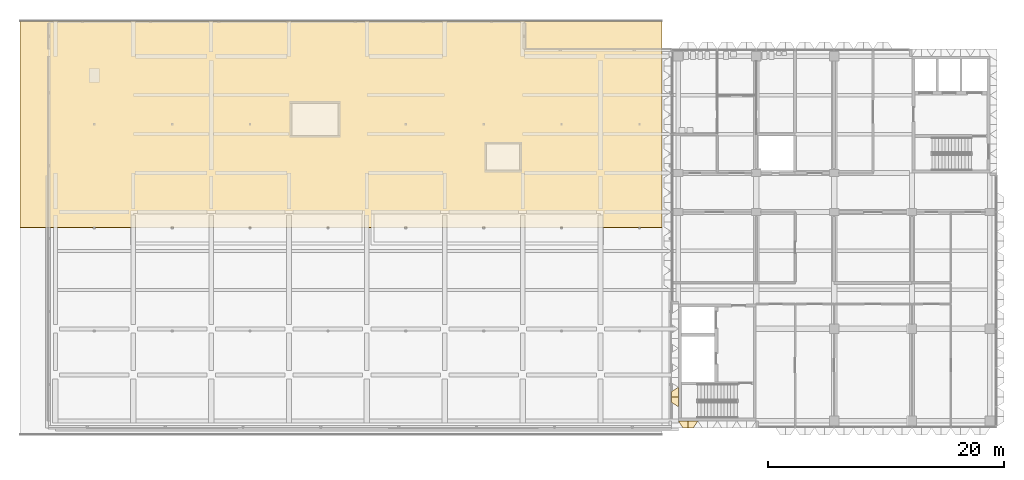
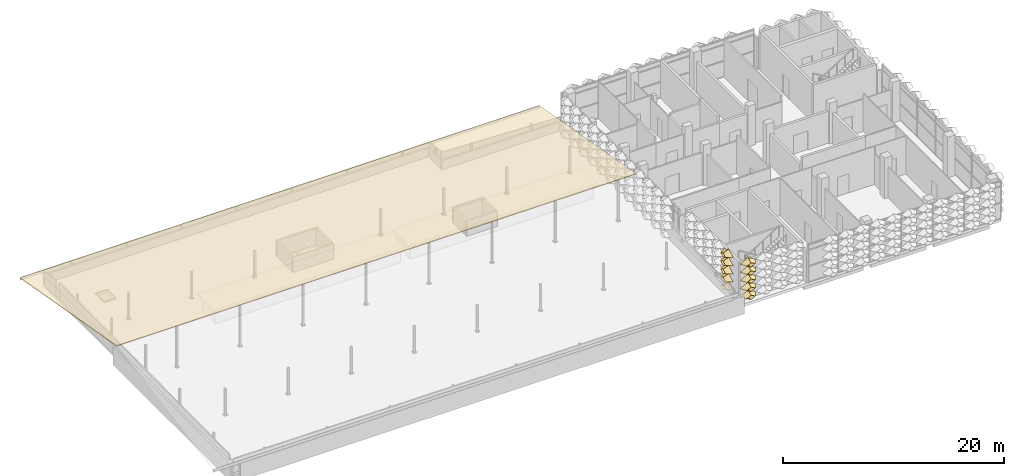
# One storey, part 21 of 39: 12 coverings.
"""IFC4 building model written with IfcOpenShell, lengths in metres."""

from ifc_helpers import new_model, entity, si_unit, direction, frame, origin, place, context, subcontext, project, spatial, polyline, outline, extrude, material, layer, layer_set, type_object, element, save


model = new_model("IFC4")

# Units and contexts
model_context = context("Model", 3, precision=1e-05, world=origin(), true_north=direction((0.0, 1.0)))
body_context = subcontext(model_context, "Body", "Model", "MODEL_VIEW")
ifc_project = project(units=[si_unit("LENGTHUNIT", "METRE"), si_unit("AREAUNIT", "SQUARE_METRE"), si_unit("VOLUMEUNIT", "CUBIC_METRE"), si_unit("PLANEANGLEUNIT", "RADIAN"), si_unit("MASSUNIT", "GRAM", prefix="KILO")], contexts=[model_context])

# Site, building, storey
site_placement = place(None, origin())
site = spatial("IfcSite", under=ifc_project, at=site_placement, CompositionType="ELEMENT")
building_placement = place(site_placement, origin())
building = spatial("IfcBuilding", under=site, at=building_placement, Name="Lantern Court Research Institute", CompositionType="ELEMENT")
storey_placement = place(building_placement, frame((0.0, 0.0, 27.89990234375)))
storey = spatial("IfcBuildingStorey", under=building, at=storey_placement, Name="L06", CompositionType="ELEMENT", Elevation=27.89990234375)

# Coverings
ifc_material_1 = material(Name="Anodised aluminium", Category="aluminium")
ifc_layer_1 = layer(ifc_material_1, 0.02001953125)
ifc_layer_set_1 = layer_set([ifc_layer_1], Name="Anodised aluminium")
covering_type_1 = type_object("IfcCoveringType", Name="Eaves soffit lining 20 aluminium", PredefinedType="CLADDING", material=ifc_layer_set_1)
covering_1_placement = place(storey_placement, frame((-3.0, 26.10009765625, 1.4892578125), z_axis=(0.0, 0.173644456684, 0.984808409115), x_axis=(1.0, 0.0, 0.0)))
element("IfcCovering", 1, at=covering_1_placement, inside=storey, type_object=covering_type_1, Name="Eaves soffit lining V4 2", PredefinedType="CLADDING", context=body_context, shape_type="SweptSolid", body=[
    extrude(outline(polyline([(0.0, 0.0), (54.39990234375, 0.0), (54.39990234375, -17.795488261651847), (0.0, -17.795488261651847), (0.0, 0.0)])), origin(), (0.0, 0.0, -1.0), 0.02001953125),
])
ifc_material_2 = material(Name="Anodised aluminium", Category="aluminium")
ifc_layer_2 = layer(ifc_material_2, 0.01611328125)
ifc_layer_set_2 = layer_set([ifc_layer_2], Name="Anodised aluminium")
covering_type_2 = type_object("IfcCoveringType", Name="Fin cassette 1650 x 900 x 600 aluminium", PredefinedType="CLADDING", material=ifc_layer_set_2)
covering_2_placement = place(storey_placement, frame((53.625, -7.800048828125, 0.4501953125), z_axis=(0.0, -1.0, 0.0), x_axis=(1.0, 0.0, 0.0)))
cartesian_point_1 = entity("IfcCartesianPoint", [0.824951171875, 0.0])
cartesian_point_2 = entity("IfcCartesianPoint", [0.79150390625, 0.0])
cartesian_point_3 = entity("IfcCartesianPoint", [0.44189453125, 0.0])
cartesian_point_4 = entity("IfcCartesianPoint", [0.43359375, 0.0])
element("IfcCovering", 2, at=covering_2_placement, inside=storey, type_object=covering_type_2, Name="Fin cassette V5S-L06 1.33", PredefinedType="CLADDING", context=body_context, shape_type="SweptSolid", body=[
    entity("IfcExtrudedAreaSolidTapered", entity("IfcArbitraryProfileDefWithVoids", "AREA", None, entity("IfcPolyline", [cartesian_point_1, entity("IfcCartesianPoint", [0.0, 0.449951171875]), entity("IfcCartesianPoint", [-0.824951171875, 0.0]), entity("IfcCartesianPoint", [0.0, -0.449951171875]), cartesian_point_1]), [entity("IfcPolyline", [cartesian_point_2, entity("IfcCartesianPoint", [0.0, 0.431884765625]), entity("IfcCartesianPoint", [-0.79150390625, 0.0]), entity("IfcCartesianPoint", [0.0, -0.431884765625]), cartesian_point_2])]), entity("IfcAxis2Placement3D", entity("IfcCartesianPoint", [0.0, 0.0, 0.0])), entity("IfcDirection", [0.0, 0.0, 1.0]), 0.60009765625, entity("IfcArbitraryProfileDefWithVoids", "AREA", None, entity("IfcPolyline", [cartesian_point_3, entity("IfcCartesianPoint", [0.0, 0.240966796875]), entity("IfcCartesianPoint", [-0.44189453125, 0.0]), entity("IfcCartesianPoint", [0.0, -0.240966796875]), cartesian_point_3]), [entity("IfcPolyline", [cartesian_point_4, entity("IfcCartesianPoint", [0.0, 0.236572265625]), entity("IfcCartesianPoint", [-0.43359375, 0.0]), entity("IfcCartesianPoint", [0.0, -0.236572265625]), cartesian_point_4])])),
])
covering_3_placement = place(storey_placement, frame((53.625, -7.800048828125, 1.35009765625), z_axis=(0.0, -1.0, 0.0), x_axis=(1.0, 0.0, 0.0)))
cartesian_point_5 = entity("IfcCartesianPoint", [0.824951171875, 0.0])
cartesian_point_6 = entity("IfcCartesianPoint", [0.79150390625, 0.0])
cartesian_point_7 = entity("IfcCartesianPoint", [0.44189453125, 0.0])
cartesian_point_8 = entity("IfcCartesianPoint", [0.43359375, 0.0])
element("IfcCovering", 3, at=covering_3_placement, inside=storey, type_object=covering_type_2, Name="Fin cassette V5S-L06 2.33", PredefinedType="CLADDING", context=body_context, shape_type="SweptSolid", body=[
    entity("IfcExtrudedAreaSolidTapered", entity("IfcArbitraryProfileDefWithVoids", "AREA", None, entity("IfcPolyline", [cartesian_point_5, entity("IfcCartesianPoint", [0.0, 0.449951171875]), entity("IfcCartesianPoint", [-0.824951171875, 0.0]), entity("IfcCartesianPoint", [0.0, -0.449951171875]), cartesian_point_5]), [entity("IfcPolyline", [cartesian_point_6, entity("IfcCartesianPoint", [0.0, 0.431884765625]), entity("IfcCartesianPoint", [-0.79150390625, 0.0]), entity("IfcCartesianPoint", [0.0, -0.431884765625]), cartesian_point_6])]), entity("IfcAxis2Placement3D", entity("IfcCartesianPoint", [0.0, 0.0, 0.0])), entity("IfcDirection", [0.0, 0.0, 1.0]), 0.60009765625, entity("IfcArbitraryProfileDefWithVoids", "AREA", None, entity("IfcPolyline", [cartesian_point_7, entity("IfcCartesianPoint", [0.0, 0.240966796875]), entity("IfcCartesianPoint", [-0.44189453125, 0.0]), entity("IfcCartesianPoint", [0.0, -0.240966796875]), cartesian_point_7]), [entity("IfcPolyline", [cartesian_point_8, entity("IfcCartesianPoint", [0.0, 0.236572265625]), entity("IfcCartesianPoint", [-0.43359375, 0.0]), entity("IfcCartesianPoint", [0.0, -0.236572265625]), cartesian_point_8])])),
])
covering_4_placement = place(storey_placement, frame((53.625, -7.800048828125, 2.25), z_axis=(0.0, -1.0, 0.0), x_axis=(1.0, 0.0, 0.0)))
cartesian_point_9 = entity("IfcCartesianPoint", [0.824951171875, 0.0])
cartesian_point_10 = entity("IfcCartesianPoint", [0.79150390625, 0.0])
cartesian_point_11 = entity("IfcCartesianPoint", [0.44189453125, 0.0])
cartesian_point_12 = entity("IfcCartesianPoint", [0.43359375, 0.0])
element("IfcCovering", 4, at=covering_4_placement, inside=storey, type_object=covering_type_2, Name="Fin cassette V5S-L06 3.33", PredefinedType="CLADDING", context=body_context, shape_type="SweptSolid", body=[
    entity("IfcExtrudedAreaSolidTapered", entity("IfcArbitraryProfileDefWithVoids", "AREA", None, entity("IfcPolyline", [cartesian_point_9, entity("IfcCartesianPoint", [0.0, 0.449951171875]), entity("IfcCartesianPoint", [-0.824951171875, 0.0]), entity("IfcCartesianPoint", [0.0, -0.449951171875]), cartesian_point_9]), [entity("IfcPolyline", [cartesian_point_10, entity("IfcCartesianPoint", [0.0, 0.431884765625]), entity("IfcCartesianPoint", [-0.79150390625, 0.0]), entity("IfcCartesianPoint", [0.0, -0.431884765625]), cartesian_point_10])]), entity("IfcAxis2Placement3D", entity("IfcCartesianPoint", [0.0, 0.0, 0.0])), entity("IfcDirection", [0.0, 0.0, 1.0]), 0.60009765625, entity("IfcArbitraryProfileDefWithVoids", "AREA", None, entity("IfcPolyline", [cartesian_point_11, entity("IfcCartesianPoint", [0.0, 0.240966796875]), entity("IfcCartesianPoint", [-0.44189453125, 0.0]), entity("IfcCartesianPoint", [0.0, -0.240966796875]), cartesian_point_11]), [entity("IfcPolyline", [cartesian_point_12, entity("IfcCartesianPoint", [0.0, 0.236572265625]), entity("IfcCartesianPoint", [-0.43359375, 0.0]), entity("IfcCartesianPoint", [0.0, -0.236572265625]), cartesian_point_12])])),
])
covering_5_placement = place(storey_placement, frame((53.625, -7.800048828125, 3.150146484375), z_axis=(0.0, -1.0, 0.0), x_axis=(1.0, 0.0, 0.0)))
cartesian_point_13 = entity("IfcCartesianPoint", [0.824951171875, 0.0])
cartesian_point_14 = entity("IfcCartesianPoint", [0.79150390625, 0.0])
cartesian_point_15 = entity("IfcCartesianPoint", [0.44189453125, 0.0])
cartesian_point_16 = entity("IfcCartesianPoint", [0.43359375, 0.0])
element("IfcCovering", 5, at=covering_5_placement, inside=storey, type_object=covering_type_2, Name="Fin cassette V5S-L06 4.33", PredefinedType="CLADDING", context=body_context, shape_type="SweptSolid", body=[
    entity("IfcExtrudedAreaSolidTapered", entity("IfcArbitraryProfileDefWithVoids", "AREA", None, entity("IfcPolyline", [cartesian_point_13, entity("IfcCartesianPoint", [0.0, 0.449951171875]), entity("IfcCartesianPoint", [-0.824951171875, 0.0]), entity("IfcCartesianPoint", [0.0, -0.449951171875]), cartesian_point_13]), [entity("IfcPolyline", [cartesian_point_14, entity("IfcCartesianPoint", [0.0, 0.431884765625]), entity("IfcCartesianPoint", [-0.79150390625, 0.0]), entity("IfcCartesianPoint", [0.0, -0.431884765625]), cartesian_point_14])]), entity("IfcAxis2Placement3D", entity("IfcCartesianPoint", [0.0, 0.0, 0.0])), entity("IfcDirection", [0.0, 0.0, 1.0]), 0.60009765625, entity("IfcArbitraryProfileDefWithVoids", "AREA", None, entity("IfcPolyline", [cartesian_point_15, entity("IfcCartesianPoint", [0.0, 0.240966796875]), entity("IfcCartesianPoint", [-0.44189453125, 0.0]), entity("IfcCartesianPoint", [0.0, -0.240966796875]), cartesian_point_15]), [entity("IfcPolyline", [cartesian_point_16, entity("IfcCartesianPoint", [0.0, 0.236572265625]), entity("IfcCartesianPoint", [-0.43359375, 0.0]), entity("IfcCartesianPoint", [0.0, -0.236572265625]), cartesian_point_16])])),
])
covering_6_placement = place(storey_placement, frame((53.625, -7.800048828125, 4.050048828125), z_axis=(0.0, -1.0, 0.0), x_axis=(1.0, 0.0, 0.0)))
cartesian_point_17 = entity("IfcCartesianPoint", [0.824951171875, 0.0])
cartesian_point_18 = entity("IfcCartesianPoint", [0.79150390625, 0.0])
cartesian_point_19 = entity("IfcCartesianPoint", [0.44189453125, 0.0])
cartesian_point_20 = entity("IfcCartesianPoint", [0.43359375, 0.0])
element("IfcCovering", 6, at=covering_6_placement, inside=storey, type_object=covering_type_2, Name="Fin cassette V5S-L06 5.33", PredefinedType="CLADDING", context=body_context, shape_type="SweptSolid", body=[
    entity("IfcExtrudedAreaSolidTapered", entity("IfcArbitraryProfileDefWithVoids", "AREA", None, entity("IfcPolyline", [cartesian_point_17, entity("IfcCartesianPoint", [0.0, 0.449951171875]), entity("IfcCartesianPoint", [-0.824951171875, 0.0]), entity("IfcCartesianPoint", [0.0, -0.449951171875]), cartesian_point_17]), [entity("IfcPolyline", [cartesian_point_18, entity("IfcCartesianPoint", [0.0, 0.431884765625]), entity("IfcCartesianPoint", [-0.79150390625, 0.0]), entity("IfcCartesianPoint", [0.0, -0.431884765625]), cartesian_point_18])]), entity("IfcAxis2Placement3D", entity("IfcCartesianPoint", [0.0, 0.0, 0.0])), entity("IfcDirection", [0.0, 0.0, 1.0]), 0.60009765625, entity("IfcArbitraryProfileDefWithVoids", "AREA", None, entity("IfcPolyline", [cartesian_point_19, entity("IfcCartesianPoint", [0.0, 0.240966796875]), entity("IfcCartesianPoint", [-0.44189453125, 0.0]), entity("IfcCartesianPoint", [0.0, -0.240966796875]), cartesian_point_19]), [entity("IfcPolyline", [cartesian_point_20, entity("IfcCartesianPoint", [0.0, 0.236572265625]), entity("IfcCartesianPoint", [-0.43359375, 0.0]), entity("IfcCartesianPoint", [0.0, -0.236572265625]), cartesian_point_20])])),
])
covering_7_placement = place(storey_placement, frame((52.800048828125, -5.77490234375, 0.4501953125), z_axis=(-1.0, 0.0, 0.0), x_axis=(0.0, -1.0, 0.0)))
cartesian_point_21 = entity("IfcCartesianPoint", [0.824951171875, 0.0])
cartesian_point_22 = entity("IfcCartesianPoint", [0.79150390625, 0.0])
cartesian_point_23 = entity("IfcCartesianPoint", [0.44189453125, 0.0])
cartesian_point_24 = entity("IfcCartesianPoint", [0.43359375, 0.0])
element("IfcCovering", 7, at=covering_7_placement, inside=storey, type_object=covering_type_2, Name="Fin cassette V5W-L06 1.-3", PredefinedType="CLADDING", context=body_context, shape_type="SweptSolid", body=[
    entity("IfcExtrudedAreaSolidTapered", entity("IfcArbitraryProfileDefWithVoids", "AREA", None, entity("IfcPolyline", [cartesian_point_21, entity("IfcCartesianPoint", [0.0, 0.449951171875]), entity("IfcCartesianPoint", [-0.824951171875, 0.0]), entity("IfcCartesianPoint", [0.0, -0.449951171875]), cartesian_point_21]), [entity("IfcPolyline", [cartesian_point_22, entity("IfcCartesianPoint", [0.0, 0.431884765625]), entity("IfcCartesianPoint", [-0.79150390625, 0.0]), entity("IfcCartesianPoint", [0.0, -0.431884765625]), cartesian_point_22])]), entity("IfcAxis2Placement3D", entity("IfcCartesianPoint", [0.0, 0.0, 0.0])), entity("IfcDirection", [0.0, 0.0, 1.0]), 0.60009765625, entity("IfcArbitraryProfileDefWithVoids", "AREA", None, entity("IfcPolyline", [cartesian_point_23, entity("IfcCartesianPoint", [0.0, 0.240966796875]), entity("IfcCartesianPoint", [-0.44189453125, 0.0]), entity("IfcCartesianPoint", [0.0, -0.240966796875]), cartesian_point_23]), [entity("IfcPolyline", [cartesian_point_24, entity("IfcCartesianPoint", [0.0, 0.236572265625]), entity("IfcCartesianPoint", [-0.43359375, 0.0]), entity("IfcCartesianPoint", [0.0, -0.236572265625]), cartesian_point_24])])),
])
covering_8_placement = place(storey_placement, frame((52.800048828125, -5.77490234375, 1.35009765625), z_axis=(-1.0, 0.0, 0.0), x_axis=(0.0, -1.0, 0.0)))
cartesian_point_25 = entity("IfcCartesianPoint", [0.824951171875, 0.0])
cartesian_point_26 = entity("IfcCartesianPoint", [0.79150390625, 0.0])
cartesian_point_27 = entity("IfcCartesianPoint", [0.44189453125, 0.0])
cartesian_point_28 = entity("IfcCartesianPoint", [0.43359375, 0.0])
element("IfcCovering", 8, at=covering_8_placement, inside=storey, type_object=covering_type_2, Name="Fin cassette V5W-L06 2.-3", PredefinedType="CLADDING", context=body_context, shape_type="SweptSolid", body=[
    entity("IfcExtrudedAreaSolidTapered", entity("IfcArbitraryProfileDefWithVoids", "AREA", None, entity("IfcPolyline", [cartesian_point_25, entity("IfcCartesianPoint", [0.0, 0.449951171875]), entity("IfcCartesianPoint", [-0.824951171875, 0.0]), entity("IfcCartesianPoint", [0.0, -0.449951171875]), cartesian_point_25]), [entity("IfcPolyline", [cartesian_point_26, entity("IfcCartesianPoint", [0.0, 0.431884765625]), entity("IfcCartesianPoint", [-0.79150390625, 0.0]), entity("IfcCartesianPoint", [0.0, -0.431884765625]), cartesian_point_26])]), entity("IfcAxis2Placement3D", entity("IfcCartesianPoint", [0.0, 0.0, 0.0])), entity("IfcDirection", [0.0, 0.0, 1.0]), 0.60009765625, entity("IfcArbitraryProfileDefWithVoids", "AREA", None, entity("IfcPolyline", [cartesian_point_27, entity("IfcCartesianPoint", [0.0, 0.240966796875]), entity("IfcCartesianPoint", [-0.44189453125, 0.0]), entity("IfcCartesianPoint", [0.0, -0.240966796875]), cartesian_point_27]), [entity("IfcPolyline", [cartesian_point_28, entity("IfcCartesianPoint", [0.0, 0.236572265625]), entity("IfcCartesianPoint", [-0.43359375, 0.0]), entity("IfcCartesianPoint", [0.0, -0.236572265625]), cartesian_point_28])])),
])
covering_9_placement = place(storey_placement, frame((52.800048828125, -5.77490234375, 2.25), z_axis=(-1.0, 0.0, 0.0), x_axis=(0.0, -1.0, 0.0)))
cartesian_point_29 = entity("IfcCartesianPoint", [0.824951171875, 0.0])
cartesian_point_30 = entity("IfcCartesianPoint", [0.79150390625, 0.0])
cartesian_point_31 = entity("IfcCartesianPoint", [0.44189453125, 0.0])
cartesian_point_32 = entity("IfcCartesianPoint", [0.43359375, 0.0])
element("IfcCovering", 9, at=covering_9_placement, inside=storey, type_object=covering_type_2, Name="Fin cassette V5W-L06 3.-3", PredefinedType="CLADDING", context=body_context, shape_type="SweptSolid", body=[
    entity("IfcExtrudedAreaSolidTapered", entity("IfcArbitraryProfileDefWithVoids", "AREA", None, entity("IfcPolyline", [cartesian_point_29, entity("IfcCartesianPoint", [0.0, 0.449951171875]), entity("IfcCartesianPoint", [-0.824951171875, 0.0]), entity("IfcCartesianPoint", [0.0, -0.449951171875]), cartesian_point_29]), [entity("IfcPolyline", [cartesian_point_30, entity("IfcCartesianPoint", [0.0, 0.431884765625]), entity("IfcCartesianPoint", [-0.79150390625, 0.0]), entity("IfcCartesianPoint", [0.0, -0.431884765625]), cartesian_point_30])]), entity("IfcAxis2Placement3D", entity("IfcCartesianPoint", [0.0, 0.0, 0.0])), entity("IfcDirection", [0.0, 0.0, 1.0]), 0.60009765625, entity("IfcArbitraryProfileDefWithVoids", "AREA", None, entity("IfcPolyline", [cartesian_point_31, entity("IfcCartesianPoint", [0.0, 0.240966796875]), entity("IfcCartesianPoint", [-0.44189453125, 0.0]), entity("IfcCartesianPoint", [0.0, -0.240966796875]), cartesian_point_31]), [entity("IfcPolyline", [cartesian_point_32, entity("IfcCartesianPoint", [0.0, 0.236572265625]), entity("IfcCartesianPoint", [-0.43359375, 0.0]), entity("IfcCartesianPoint", [0.0, -0.236572265625]), cartesian_point_32])])),
])
covering_10_placement = place(storey_placement, frame((52.800048828125, -5.77490234375, 3.150146484375), z_axis=(-1.0, 0.0, 0.0), x_axis=(0.0, -1.0, 0.0)))
cartesian_point_33 = entity("IfcCartesianPoint", [0.824951171875, 0.0])
cartesian_point_34 = entity("IfcCartesianPoint", [0.79150390625, 0.0])
cartesian_point_35 = entity("IfcCartesianPoint", [0.44189453125, 0.0])
cartesian_point_36 = entity("IfcCartesianPoint", [0.43359375, 0.0])
element("IfcCovering", 10, at=covering_10_placement, inside=storey, type_object=covering_type_2, Name="Fin cassette V5W-L06 4.-3", PredefinedType="CLADDING", context=body_context, shape_type="SweptSolid", body=[
    entity("IfcExtrudedAreaSolidTapered", entity("IfcArbitraryProfileDefWithVoids", "AREA", None, entity("IfcPolyline", [cartesian_point_33, entity("IfcCartesianPoint", [0.0, 0.449951171875]), entity("IfcCartesianPoint", [-0.824951171875, 0.0]), entity("IfcCartesianPoint", [0.0, -0.449951171875]), cartesian_point_33]), [entity("IfcPolyline", [cartesian_point_34, entity("IfcCartesianPoint", [0.0, 0.431884765625]), entity("IfcCartesianPoint", [-0.79150390625, 0.0]), entity("IfcCartesianPoint", [0.0, -0.431884765625]), cartesian_point_34])]), entity("IfcAxis2Placement3D", entity("IfcCartesianPoint", [0.0, 0.0, 0.0])), entity("IfcDirection", [0.0, 0.0, 1.0]), 0.60009765625, entity("IfcArbitraryProfileDefWithVoids", "AREA", None, entity("IfcPolyline", [cartesian_point_35, entity("IfcCartesianPoint", [0.0, 0.240966796875]), entity("IfcCartesianPoint", [-0.44189453125, 0.0]), entity("IfcCartesianPoint", [0.0, -0.240966796875]), cartesian_point_35]), [entity("IfcPolyline", [cartesian_point_36, entity("IfcCartesianPoint", [0.0, 0.236572265625]), entity("IfcCartesianPoint", [-0.43359375, 0.0]), entity("IfcCartesianPoint", [0.0, -0.236572265625]), cartesian_point_36])])),
])
covering_11_placement = place(storey_placement, frame((52.800048828125, -5.77490234375, 4.050048828125), z_axis=(-1.0, 0.0, 0.0), x_axis=(0.0, -1.0, 0.0)))
cartesian_point_37 = entity("IfcCartesianPoint", [0.824951171875, 0.0])
cartesian_point_38 = entity("IfcCartesianPoint", [0.79150390625, 0.0])
cartesian_point_39 = entity("IfcCartesianPoint", [0.44189453125, 0.0])
cartesian_point_40 = entity("IfcCartesianPoint", [0.43359375, 0.0])
element("IfcCovering", 11, at=covering_11_placement, inside=storey, type_object=covering_type_2, Name="Fin cassette V5W-L06 5.-3", PredefinedType="CLADDING", context=body_context, shape_type="SweptSolid", body=[
    entity("IfcExtrudedAreaSolidTapered", entity("IfcArbitraryProfileDefWithVoids", "AREA", None, entity("IfcPolyline", [cartesian_point_37, entity("IfcCartesianPoint", [0.0, 0.449951171875]), entity("IfcCartesianPoint", [-0.824951171875, 0.0]), entity("IfcCartesianPoint", [0.0, -0.449951171875]), cartesian_point_37]), [entity("IfcPolyline", [cartesian_point_38, entity("IfcCartesianPoint", [0.0, 0.431884765625]), entity("IfcCartesianPoint", [-0.79150390625, 0.0]), entity("IfcCartesianPoint", [0.0, -0.431884765625]), cartesian_point_38])]), entity("IfcAxis2Placement3D", entity("IfcCartesianPoint", [0.0, 0.0, 0.0])), entity("IfcDirection", [0.0, 0.0, 1.0]), 0.60009765625, entity("IfcArbitraryProfileDefWithVoids", "AREA", None, entity("IfcPolyline", [cartesian_point_39, entity("IfcCartesianPoint", [0.0, 0.240966796875]), entity("IfcCartesianPoint", [-0.44189453125, 0.0]), entity("IfcCartesianPoint", [0.0, -0.240966796875]), cartesian_point_39]), [entity("IfcPolyline", [cartesian_point_40, entity("IfcCartesianPoint", [0.0, 0.236572265625]), entity("IfcCartesianPoint", [-0.43359375, 0.0]), entity("IfcCartesianPoint", [0.0, -0.236572265625]), cartesian_point_40])])),
])
ifc_material_3 = material(Name="Anodised aluminium", Category="aluminium")
ifc_layer_3 = layer(ifc_material_3, 0.06005859375)
ifc_layer_set_3 = layer_set([ifc_layer_3], Name="Anodised aluminium")
covering_type_3 = type_object("IfcCoveringType", Name="Parasol roof sheet 60 standing-seam aluminium", PredefinedType="ROOFING", material=ifc_layer_set_3)
covering_12_placement = place(storey_placement, frame((-3.0, 26.10009765625, 1.550048828125), z_axis=(0.0, 0.173644456684, 0.984808409115), x_axis=(1.0, 0.0, 0.0)))
element("IfcCovering", 12, at=covering_12_placement, inside=storey, type_object=covering_type_3, Name="Parasol roof sheet V4 2", PredefinedType="ROOFING", context=body_context, shape_type="SweptSolid", body=[
    extrude(outline(polyline([(0.0, 0.0), (54.39990234375, 0.0), (54.39990234375, -17.795488261651847), (0.0, -17.795488261651847), (0.0, 0.0)])), origin(), (0.0, 0.0, -1.0), 0.06005859375),
])

save(model, "model.ifc")
